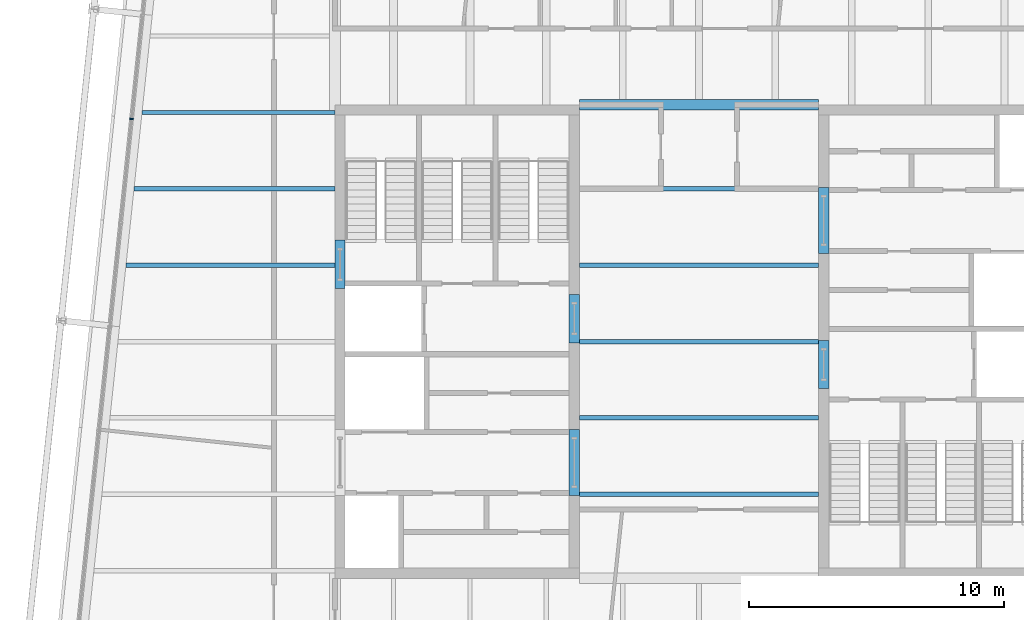
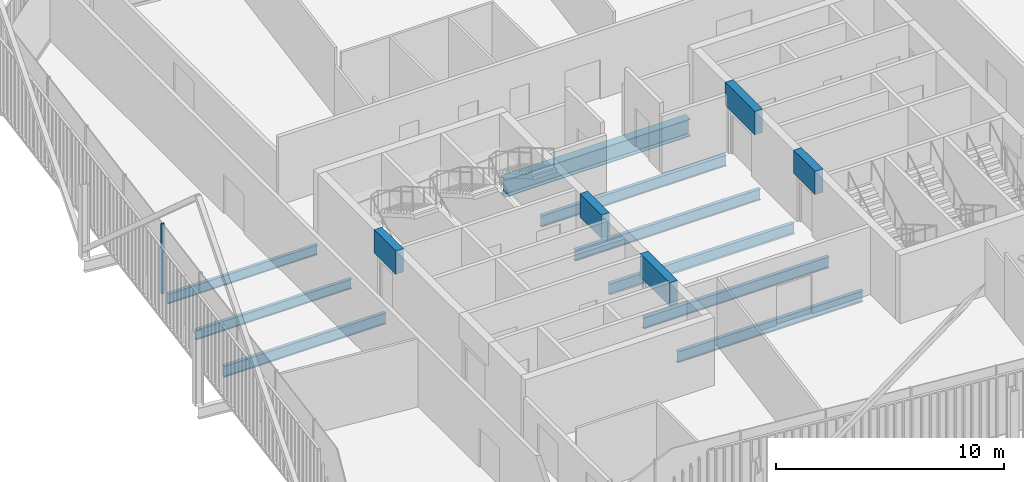
# One storey, part 8 of 21: 14 beams, 1 member, 1 element without a shape of its own.
"""IFC4 building model written with IfcOpenShell, lengths in metres."""

from ifc_helpers import new_model, si_unit, direction, frame, origin, origin_2d, place, context, subcontext, project, spatial, rectangle, i_section, extrude, material, layer, layer_set, material_profile, profile_set, type_object, element, aggregate, save


model = new_model("IFC4")

# Units and contexts
model_context = context("Model", 3, precision=1e-05, world=origin(), true_north=direction((0.0, 1.0)))
body_context = subcontext(model_context, "Body", "Model", "MODEL_VIEW")
ifc_project = project(units=[si_unit("LENGTHUNIT", "METRE"), si_unit("AREAUNIT", "SQUARE_METRE"), si_unit("VOLUMEUNIT", "CUBIC_METRE"), si_unit("PLANEANGLEUNIT", "RADIAN"), si_unit("MASSUNIT", "GRAM", prefix="KILO")], contexts=[model_context])

# Site, building, storey
site_placement = place(None, origin())
site = spatial("IfcSite", under=ifc_project, at=site_placement, CompositionType="ELEMENT")
building_placement = place(site_placement, origin())
building = spatial("IfcBuilding", under=site, at=building_placement, Name="Millrace Tower", CompositionType="ELEMENT")
storey_placement = place(building_placement, frame((0.0, 0.0, 307.199951171875)))
storey = spatial("IfcBuildingStorey", under=building, at=storey_placement, Name="L71", CompositionType="ELEMENT", Elevation=307.199951171875)

# Curtain wall, member
ifc_material_1 = material(Name="Aluminium and glass", Category="aluminium")
ifc_layer = layer(ifc_material_1, 0.14990234375)
ifc_layer_set = layer_set([ifc_layer], Name="Aluminium and glass")
curtain_wall_type = type_object("IfcCurtainWallType", Name="CW-1 office vision curtain wall", PredefinedType="NOTDEFINED", material=ifc_layer_set)
curtain_wall_placement = place(storey_placement, origin())
curtain_wall = element("IfcCurtainWall", 1, at=curtain_wall_placement, inside=storey, type_object=curtain_wall_type, Name="Curtain wall E-F08 L71", PredefinedType="NOTDEFINED")
ifc_material_2 = material(Name="Aluminium", Category="aluminium")
ifc_material_profile_1 = material_profile(ifc_material_2, rectangle(XDim=0.06494140625, YDim=0.14990234375, at=origin_2d()))
ifc_profile_set_1 = profile_set([ifc_material_profile_1], Name="Aluminium")
member_type = type_object("IfcMemberType", Name="CW-1 office vision curtain wall mullion", PredefinedType="MULLION", material=ifc_profile_set_1)
member_placement = place(storey_placement, frame((-22.2890625, 8.742431640625, 0.14013671875), z_axis=(0.0, 0.0, 1.0), x_axis=(-0.104528455196, -0.994521896217, 0.0)))
member = element("IfcMember", 2, at=member_placement, type_object=member_type, Name="CW1 mullion E-F08.5", PredefinedType="MULLION", context=body_context, shape_type="SweptSolid", body=[
    extrude(rectangle(XDim=0.06494140625, YDim=0.14990234375, at=origin_2d()), origin(), (0.0, 0.0, 1.0), 3.760009765625),
])
aggregate(curtain_wall, [member])

# Beams
ifc_material_3 = material(Name="Concrete C60", Category="concrete")
ifc_material_profile_2 = material_profile(ifc_material_3, rectangle(XDim=0.39990234375, YDim=1.25, at=origin_2d()))
ifc_profile_set_2 = profile_set([ifc_material_profile_2], Name="Concrete C60")
beam_type_1 = type_object("IfcBeamType", Name="Coupling beam 400 x 1250 Concrete C60, 1300 opening", PredefinedType="BEAM", material=ifc_profile_set_2)
beam_1_placement = place(storey_placement, frame((-14.10009765625, 2.080078125, 3.025146484375), z_axis=(0.0, 1.0, 0.0), x_axis=(-1.0, 0.0, 0.0)))
element("IfcBeam", 3, at=beam_1_placement, inside=storey, type_object=beam_type_1, Name="Coupling beam W L71", PredefinedType="BEAM", context=body_context, shape_type="SweptSolid", body=[
    extrude(rectangle(XDim=0.39990234375, YDim=1.25, at=origin_2d()), origin(), (0.0, 0.0, 1.0), 1.89990234375),
])
for number, where, z_axis, x_axis, name in (
    (4, (-4.89990234375, -0.050048828125, 3.025146484375), (0.0, 1.0, 0.0), (-1.0, 0.0, 0.0), "Coupling beam W L71"),
    (5, (4.89990234375, 0.050048828125, 3.025146484375), (0.0, -1.0, 0.0), (1.0, 0.0, 0.0), "Coupling beam E L71"),
):
    element("IfcBeam", number, at=place(storey_placement, frame(where, z_axis=z_axis, x_axis=x_axis)), inside=storey, type_object=beam_type_1, Name=name, PredefinedType="BEAM", context=body_context, shape_type="SweptSolid", body=[
        extrude(rectangle(XDim=0.39990234375, YDim=1.25, at=origin_2d()), origin(), (0.0, 0.0, 1.0), 1.900146484375),
    ])
ifc_material_4 = material(Name="Concrete C60", Category="concrete")
ifc_material_profile_3 = material_profile(ifc_material_4, rectangle(XDim=0.39990234375, YDim=1.25, at=origin_2d()))
ifc_profile_set_3 = profile_set([ifc_material_profile_3], Name="Concrete C60")
beam_type_2 = type_object("IfcBeamType", Name="Coupling beam 400 x 1250 Concrete C60, 2000 opening", PredefinedType="BEAM", material=ifc_profile_set_3)
for number, where, z_axis, x_axis, name in (
    (6, (-4.89990234375, -6.050048828125, 3.025146484375), (0.0, 1.0, 0.0), (-1.0, 0.0, 0.0), "Coupling beam W L71"),
    (7, (4.89990234375, 6.050048828125, 3.025146484375), (0.0, -1.0, 0.0), (1.0, 0.0, 0.0), "Coupling beam E L71"),
):
    element("IfcBeam", number, at=place(storey_placement, frame(where, z_axis=z_axis, x_axis=x_axis)), inside=storey, type_object=beam_type_2, Name=name, PredefinedType="BEAM", context=body_context, shape_type="SweptSolid", body=[
        extrude(rectangle(XDim=0.39990234375, YDim=1.25, at=origin_2d()), origin(), (0.0, 0.0, 1.0), 2.60009765625),
    ])
ifc_material_5 = material(Name="Steel ASTM A992 Grade 50", Category="steel")
ifc_material_profile_4 = material_profile(ifc_material_5, i_section(OverallWidth=0.1650390625, OverallDepth=0.52587890625, WebThickness=0.0087890625, FlangeThickness=0.011474609375, FilletRadius=0.0126953125, at=origin_2d()))
ifc_profile_set_4 = profile_set([ifc_material_profile_4], Name="Steel ASTM A992 Grade 50")
beam_type_3 = type_object("IfcBeamType", Name="Floor beam W21x44", PredefinedType="JOIST", material=ifc_profile_set_4)
beam_2_placement = place(storey_placement, frame((-22.19287109375, 6.0, -0.4228515625), z_axis=(1.0, 0.0, 0.0), x_axis=(0.0, 1.0, 0.0)))
element("IfcBeam", 8, at=beam_2_placement, inside=storey, type_object=beam_type_3, Name="BM-E-L71-S1-S021", PredefinedType="JOIST", context=body_context, shape_type="SweptSolid", body=[
    extrude(i_section(OverallWidth=0.1650390625, OverallDepth=0.52587890625, WebThickness=0.0087890625, FlangeThickness=0.011474609375, FilletRadius=0.0126953125, at=origin_2d()), origin(), (0.0, 0.0, 1.0), 7.892822265625),
])
beam_3_placement = place(storey_placement, frame((-21.87744140625, 9.0, -0.4228515625), z_axis=(1.0, 0.0, 0.0), x_axis=(0.0, 1.0, 0.0)))
element("IfcBeam", 9, at=beam_3_placement, inside=storey, type_object=beam_type_3, Name="BM-E-L71-S1-S023", PredefinedType="JOIST", context=body_context, shape_type="SweptSolid", body=[
    extrude(i_section(OverallWidth=0.1650390625, OverallDepth=0.52587890625, WebThickness=0.0087890625, FlangeThickness=0.011474609375, FilletRadius=0.0126953125, at=origin_2d()), origin(), (0.0, 0.0, 1.0), 7.577392578125),
])
ifc_material_6 = material(Name="Steel ASTM A992 Grade 50", Category="steel")
ifc_material_profile_5 = material_profile(ifc_material_6, i_section(OverallWidth=0.177978515625, OverallDepth=0.599365234375, WebThickness=0.010009765625, FlangeThickness=0.012939453125, FilletRadius=0.012939453125, at=origin_2d()))
ifc_profile_set_5 = profile_set([ifc_material_profile_5], Name="Steel ASTM A992 Grade 50")
beam_type_4 = type_object("IfcBeamType", Name="Floor beam W24x55", PredefinedType="JOIST", material=ifc_profile_set_5)
for number, where, z_axis, x_axis, name in (
    (10, (-4.699951171875, -6.0, -0.459716796875), (1.0, 0.0, 0.0), (0.0, 1.0, 0.0), "BM-E-L71-S1-S008"),
    (11, (-4.699951171875, -3.0, -0.459716796875), (1.0, 0.0, 0.0), (0.0, 1.0, 0.0), "BM-E-L71-S1-S011"),
    (12, (-4.699951171875, 0.0, -0.459716796875), (1.0, 0.0, 0.0), (0.0, 1.0, 0.0), "BM-E-L71-S1-S014"),
    (13, (-4.699951171875, 3.0, -0.459716796875), (1.0, 0.0, 0.0), (0.0, 1.0, 0.0), "BM-E-L71-S1-S017"),
):
    element("IfcBeam", number, at=place(storey_placement, frame(where, z_axis=z_axis, x_axis=x_axis)), inside=storey, type_object=beam_type_4, Name=name, PredefinedType="JOIST", context=body_context, shape_type="SweptSolid", body=[
        extrude(i_section(OverallWidth=0.177978515625, OverallDepth=0.599365234375, WebThickness=0.010009765625, FlangeThickness=0.012939453125, FilletRadius=0.012939453125, at=origin_2d()), origin(), (0.0, 0.0, 1.0), 9.39990234375),
    ])
beam_4_placement = place(storey_placement, frame((-22.508056640625, 3.0, -0.459716796875), z_axis=(1.0, 0.0, 0.0), x_axis=(0.0, 1.0, 0.0)))
element("IfcBeam", 14, at=beam_4_placement, inside=storey, type_object=beam_type_4, Name="BM-E-L71-S1-S018", PredefinedType="JOIST", context=body_context, shape_type="SweptSolid", body=[
    extrude(i_section(OverallWidth=0.177978515625, OverallDepth=0.599365234375, WebThickness=0.010009765625, FlangeThickness=0.012939453125, FilletRadius=0.012939453125, at=origin_2d()), origin(), (0.0, 0.0, 1.0), 8.2080078125),
])
beam_5_placement = place(storey_placement, frame((-4.699951171875, 6.0, -0.459716796875), z_axis=(1.0, 0.0, 0.0), x_axis=(0.0, 1.0, 0.0)))
element("IfcBeam", 15, at=beam_5_placement, inside=storey, type_object=beam_type_4, Name="BM-E-L71-S1-S020", PredefinedType="JOIST", context=body_context, shape_type="SweptSolid", body=[
    extrude(i_section(OverallWidth=0.177978515625, OverallDepth=0.599365234375, WebThickness=0.010009765625, FlangeThickness=0.012939453125, FilletRadius=0.012939453125, at=origin_2d()), origin(), (0.0, 0.0, 1.0), 9.39990234375),
])
ifc_material_7 = material(Name="Steel ASTM A992 Grade 50", Category="steel")
ifc_material_profile_6 = material_profile(ifc_material_7, i_section(OverallWidth=0.419189453125, OverallDepth=0.927001953125, WebThickness=0.019287109375, FlangeThickness=0.031982421875, FilletRadius=0.024169921875, at=origin_2d()))
ifc_profile_set_6 = profile_set([ifc_material_profile_6], Name="Steel ASTM A992 Grade 50")
beam_type_5 = type_object("IfcBeamType", Name="Girder short span W36x231", PredefinedType="BEAM", material=ifc_profile_set_6)
beam_6_placement = place(storey_placement, frame((-4.699951171875, 9.300048828125, -0.62353515625), z_axis=(1.0, 0.0, 0.0), x_axis=(0.0, 1.0, 0.0)))
element("IfcBeam", 16, at=beam_6_placement, inside=storey, type_object=beam_type_5, Name="BM-E-L71-S1-G058", PredefinedType="BEAM", context=body_context, shape_type="SweptSolid", body=[
    extrude(i_section(OverallWidth=0.419189453125, OverallDepth=0.927001953125, WebThickness=0.019287109375, FlangeThickness=0.031982421875, FilletRadius=0.024169921875, at=origin_2d()), origin(), (0.0, 0.0, 1.0), 9.39990234375),
])

save(model, "model.ifc")
